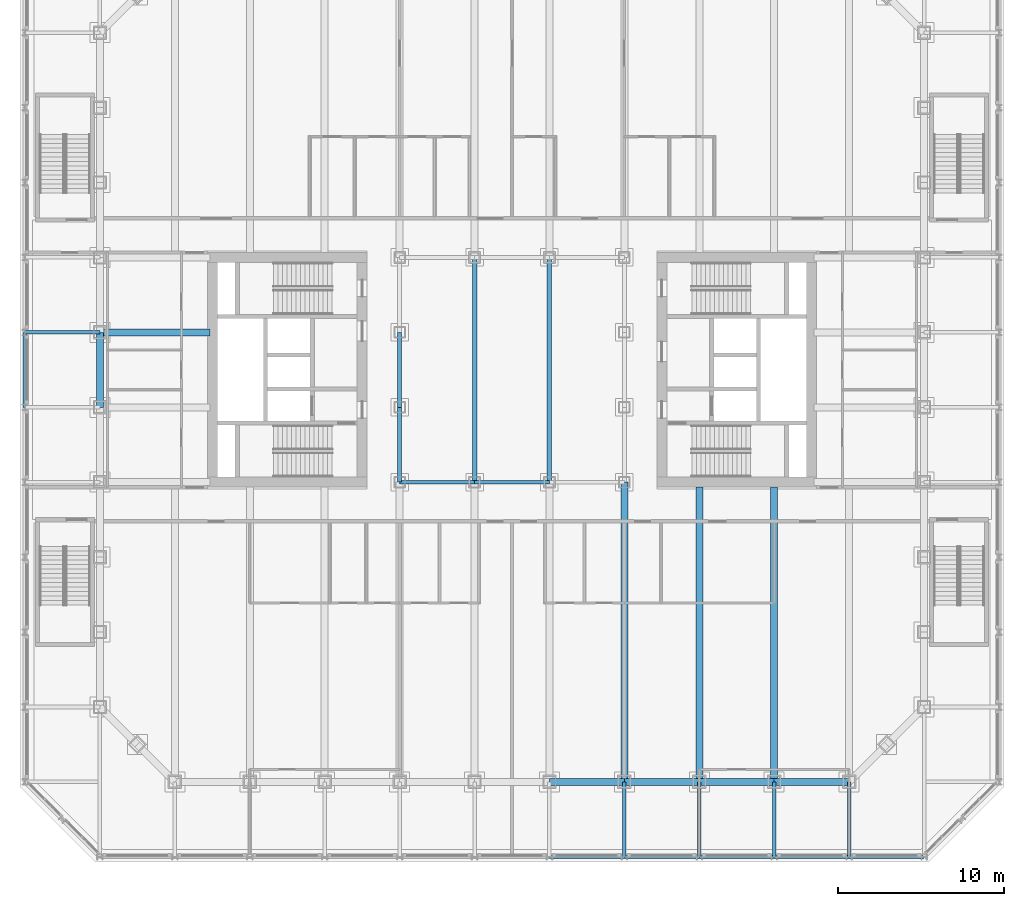
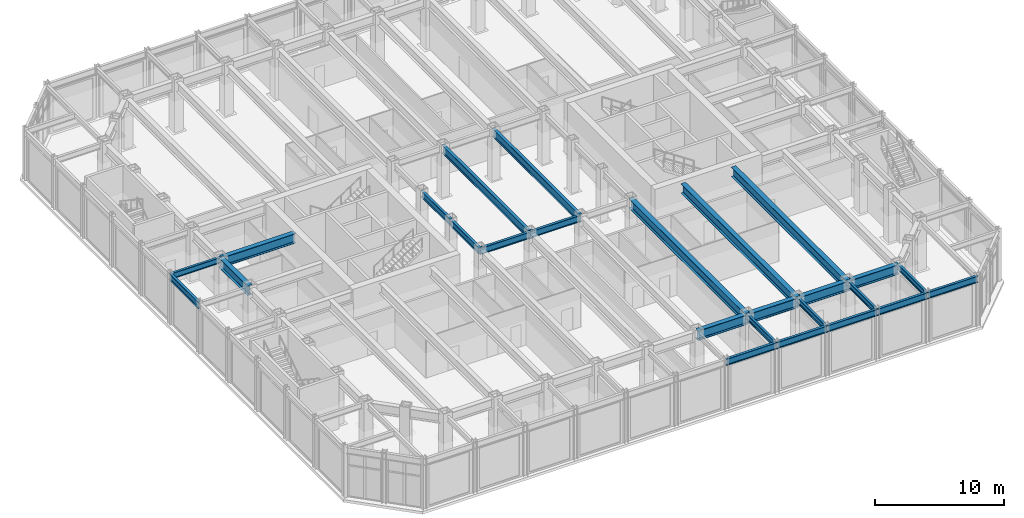
# One storey, part 5 of 19: 26 beams.
"""IFC4 building model written with IfcOpenShell, lengths in metres."""

from ifc_helpers import new_model, si_unit, direction, frame, origin, origin_2d, place, context, subcontext, project, spatial, i_section, extrude, material, material_profile, profile_set, type_object, element, save


model = new_model("IFC4")

# Units and contexts
model_context = context("Model", 3, precision=1e-05, world=origin(), true_north=direction((0.0, 1.0)))
body_context = subcontext(model_context, "Body", "Model", "MODEL_VIEW")
ifc_project = project(units=[si_unit("LENGTHUNIT", "METRE"), si_unit("AREAUNIT", "SQUARE_METRE"), si_unit("VOLUMEUNIT", "CUBIC_METRE"), si_unit("PLANEANGLEUNIT", "RADIAN"), si_unit("MASSUNIT", "GRAM", prefix="KILO")], contexts=[model_context])

# Site, building, storey
site_placement = place(None, origin())
site = spatial("IfcSite", under=ifc_project, at=site_placement, CompositionType="ELEMENT")
building_placement = place(site_placement, origin())
building = spatial("IfcBuilding", under=site, at=building_placement, Name="Msasa Ring Tower", CompositionType="ELEMENT")
storey_placement = place(building_placement, frame((0.0, 0.0, 11.0)))
storey = spatial("IfcBuildingStorey", under=building, at=storey_placement, Name="L02", CompositionType="ELEMENT", Elevation=11.0)

# Beams
ifc_material_1 = material(Name="Steel S355", Category="steel")
ifc_material_profile_1 = material_profile(ifc_material_1, i_section(OverallWidth=0.41845703125, OverallDepth=0.911865234375, WebThickness=0.019287109375, FlangeThickness=0.031982421875, FilletRadius=0.024169921875, at=origin_2d()), Name="UB 914x419x343")
ifc_profile_set_1 = profile_set([ifc_material_profile_1], Name="Steel S355")
beam_type_1 = type_object("IfcBeamType", Name="FB1 UB 914x419x343", PredefinedType="BEAM", material=ifc_profile_set_1)
beam_1_placement = place(storey_placement, frame((6.75, -24.75, 4.294189453125), z_axis=(0.0, 1.0, 0.0), x_axis=(-1.0, 0.0, 0.0)))
element("IfcBeam", 1, at=beam_1_placement, inside=storey, type_object=beam_type_1, Name="Floor beam S+6.75 under L03", PredefinedType="BEAM", context=body_context, shape_type="SweptSolid", body=[
    extrude(i_section(OverallWidth=0.41845703125, OverallDepth=0.911865234375, WebThickness=0.019287109375, FlangeThickness=0.031982421875, FilletRadius=0.024169921875, at=origin_2d()), origin(), (0.0, 0.0, 1.0), 18.0),
])
for number, where, z_axis, x_axis, name in (
    (2, (11.25, -24.75, 4.294189453125), (0.0, 1.0, 0.0), (-1.0, 0.0, 0.0), "Floor beam S+11.25 under L03"),
    (3, (15.75, -24.75, 4.294189453125), (0.0, 1.0, 0.0), (-1.0, 0.0, 0.0), "Floor beam S+15.75 under L03"),
):
    element("IfcBeam", number, at=place(storey_placement, frame(where, z_axis=z_axis, x_axis=x_axis)), inside=storey, type_object=beam_type_1, Name=name, PredefinedType="BEAM", context=body_context, shape_type="SweptSolid", body=[
        extrude(i_section(OverallWidth=0.41845703125, OverallDepth=0.911865234375, WebThickness=0.019287109375, FlangeThickness=0.031982421875, FilletRadius=0.024169921875, at=origin_2d()), origin(), (0.0, 0.0, 1.0), 17.699951171875),
    ])
ifc_material_2 = material(Name="Steel S355", Category="steel")
ifc_material_profile_2 = material_profile(ifc_material_2, i_section(OverallWidth=0.42041015625, OverallDepth=0.9208984375, WebThickness=0.021484375, FlangeThickness=0.03662109375, FilletRadius=0.024169921875, at=origin_2d()), Name="UB 914x419x388")
ifc_profile_set_2 = profile_set([ifc_material_profile_2], Name="Steel S355")
beam_type_2 = type_object("IfcBeamType", Name="FB2 UB 914x419x388", PredefinedType="BEAM", material=ifc_profile_set_2)
beam_2_placement = place(storey_placement, frame((-24.75, 2.25, 4.28955078125), z_axis=(1.0, 0.0, 0.0), x_axis=(0.0, 1.0, 0.0)))
element("IfcBeam", 4, at=beam_2_placement, inside=storey, type_object=beam_type_2, Name="Floor beam W +2.25 under L03", PredefinedType="BEAM", context=body_context, shape_type="SweptSolid", body=[
    extrude(i_section(OverallWidth=0.42041015625, OverallDepth=0.9208984375, WebThickness=0.021484375, FlangeThickness=0.03662109375, FilletRadius=0.024169921875, at=origin_2d()), origin(), (0.0, 0.0, 1.0), 6.60009765625),
])
ifc_material_3 = material(Name="Steel S355", Category="steel")
ifc_material_profile_3 = material_profile(ifc_material_3, i_section(OverallWidth=0.2119140625, OverallDepth=0.54443359375, WebThickness=0.0126953125, FlangeThickness=0.021240234375, FilletRadius=0.0126953125, at=origin_2d()), Name="UB 533x210x122")
ifc_profile_set_3 = profile_set([ifc_material_profile_3], Name="Steel S355")
beam_type_3 = type_object("IfcBeamType", Name="PB1 UB 533x210x122", PredefinedType="BEAM", material=ifc_profile_set_3)
for number, where, z_axis, x_axis, name in (
    (5, (-29.25, 2.25, 4.477783203125), (1.0, 0.0, 0.0), (0.0, 1.0, 0.0), "Podium beam W+2.25 under L03"),
    (6, (6.75, -29.25, 4.477783203125), (0.0, 1.0, 0.0), (-1.0, 0.0, 0.0), "Podium beam S+6.75 under L03"),
    (7, (11.25, -29.25, 4.477783203125), (0.0, 1.0, 0.0), (-1.0, 0.0, 0.0), "Podium beam S+11.25 under L03"),
    (8, (15.75, -29.25, 4.477783203125), (0.0, 1.0, 0.0), (-1.0, 0.0, 0.0), "Podium beam S+15.75 under L03"),
    (9, (20.25, -29.25, 4.477783203125), (0.0, 1.0, 0.0), (-1.0, 0.0, 0.0), "Podium beam S+20.25 under L03"),
):
    element("IfcBeam", number, at=place(storey_placement, frame(where, z_axis=z_axis, x_axis=x_axis)), inside=storey, type_object=beam_type_3, Name=name, PredefinedType="BEAM", context=body_context, shape_type="SweptSolid", body=[
        extrude(i_section(OverallWidth=0.2119140625, OverallDepth=0.54443359375, WebThickness=0.0126953125, FlangeThickness=0.021240234375, FilletRadius=0.0126953125, at=origin_2d()), origin(), (0.0, 0.0, 1.0), 4.5),
    ])
ifc_material_4 = material(Name="Steel S355", Category="steel")
ifc_material_profile_4 = material_profile(ifc_material_4, i_section(OverallWidth=0.230224609375, OverallDepth=0.6171875, WebThickness=0.01318359375, FlangeThickness=0.022216796875, FilletRadius=0.0126953125, at=origin_2d()), Name="UB 610x229x140")
ifc_profile_set_4 = profile_set([ifc_material_profile_4], Name="Steel S355")
beam_type_4 = type_object("IfcBeamType", Name="RB1 UB 610x229x140", PredefinedType="BEAM", material=ifc_profile_set_4)
for number, where, z_axis, x_axis, name in (
    (10, (-6.75, -2.25, 4.44140625), (0.0, -1.0, 0.0), (1.0, 0.0, 0.0), "Inner ring beam IR-6.75-2.25 under L03"),
    (11, (-6.75, -6.75, 4.44140625), (1.0, 0.0, 0.0), (0.0, 1.0, 0.0), "Inner ring beam IR-6.75-6.75 under L03"),
    (12, (-2.25, -6.75, 4.44140625), (1.0, 0.0, 0.0), (0.0, 1.0, 0.0), "Inner ring beam IR-2.25-6.75 under L03"),
    (13, (-6.75, 2.25, 4.44140625), (0.0, -1.0, 0.0), (1.0, 0.0, 0.0), "Inner ring beam IR-6.75+2.25 under L03"),
):
    element("IfcBeam", number, at=place(storey_placement, frame(where, z_axis=z_axis, x_axis=x_axis)), inside=storey, type_object=beam_type_4, Name=name, PredefinedType="BEAM", context=body_context, shape_type="SweptSolid", body=[
        extrude(i_section(OverallWidth=0.230224609375, OverallDepth=0.6171875, WebThickness=0.01318359375, FlangeThickness=0.022216796875, FilletRadius=0.0126953125, at=origin_2d()), origin(), (0.0, 0.0, 1.0), 4.5),
    ])
ifc_material_5 = material(Name="Steel S355", Category="steel")
ifc_material_profile_5 = material_profile(ifc_material_5, i_section(OverallWidth=0.42041015625, OverallDepth=0.9208984375, WebThickness=0.021484375, FlangeThickness=0.03662109375, FilletRadius=0.024169921875, at=origin_2d()), Name="UB 914x419x388")
ifc_profile_set_5 = profile_set([ifc_material_profile_5], Name="Steel S355")
beam_type_5 = type_object("IfcBeamType", Name="SB1 UB 914x419x388", PredefinedType="SPANDREL", material=ifc_profile_set_5)
for number, where, z_axis, x_axis, name in (
    (14, (2.25, -24.75, 4.28955078125), (1.0, 0.0, 0.0), (0.0, 1.0, 0.0), "Spandrel S+2.25 to S+6.75 under L03"),
    (15, (6.75, -24.75, 4.28955078125), (1.0, 0.0, 0.0), (0.0, 1.0, 0.0), "Spandrel S+6.75 to S+11.25 under L03"),
    (16, (11.25, -24.75, 4.28955078125), (1.0, 0.0, 0.0), (0.0, 1.0, 0.0), "Spandrel S+11.25 to S+15.75 under L03"),
    (17, (15.75, -24.75, 4.28955078125), (1.0, 0.0, 0.0), (0.0, 1.0, 0.0), "Spandrel S+15.75 to S+20.25 under L03"),
    (18, (-24.75, 2.25, 4.28955078125), (0.0, -1.0, 0.0), (1.0, 0.0, 0.0), "Spandrel W+2.25 to W-2.25 under L03"),
):
    element("IfcBeam", number, at=place(storey_placement, frame(where, z_axis=z_axis, x_axis=x_axis)), inside=storey, type_object=beam_type_5, Name=name, PredefinedType="SPANDREL", context=body_context, shape_type="SweptSolid", body=[
        extrude(i_section(OverallWidth=0.42041015625, OverallDepth=0.9208984375, WebThickness=0.021484375, FlangeThickness=0.03662109375, FilletRadius=0.024169921875, at=origin_2d()), origin(), (0.0, 0.0, 1.0), 4.5),
    ])
ifc_material_6 = material(Name="Steel S355", Category="steel")
ifc_material_profile_6 = material_profile(ifc_material_6, i_section(OverallWidth=0.230224609375, OverallDepth=0.6171875, WebThickness=0.01318359375, FlangeThickness=0.022216796875, FilletRadius=0.0126953125, at=origin_2d()), Name="UB 610x229x140")
ifc_profile_set_6 = profile_set([ifc_material_profile_6], Name="Steel S355")
beam_type_6 = type_object("IfcBeamType", Name="SB2 UB 610x229x140", PredefinedType="SPANDREL", material=ifc_profile_set_6)
for number, where, z_axis, x_axis, name in (
    (19, (2.25, -29.25, 4.44140625), (1.0, 0.0, 0.0), (0.0, 1.0, 0.0), "Podium spandrel S+2.25 under L03"),
    (20, (6.75, -29.25, 4.44140625), (1.0, 0.0, 0.0), (0.0, 1.0, 0.0), "Podium spandrel S+6.75 under L03"),
    (21, (11.25, -29.25, 4.44140625), (1.0, 0.0, 0.0), (0.0, 1.0, 0.0), "Podium spandrel S+11.25 under L03"),
    (22, (15.75, -29.25, 4.44140625), (1.0, 0.0, 0.0), (0.0, 1.0, 0.0), "Podium spandrel S+15.75 under L03"),
    (23, (20.25, -29.25, 4.44140625), (1.0, 0.0, 0.0), (0.0, 1.0, 0.0), "Podium spandrel S+20.25 under L03"),
    (24, (-29.25, 2.25, 4.44140625), (0.0, -1.0, 0.0), (1.0, 0.0, 0.0), "Podium spandrel W+2.25 under L03"),
):
    element("IfcBeam", number, at=place(storey_placement, frame(where, z_axis=z_axis, x_axis=x_axis)), inside=storey, type_object=beam_type_6, Name=name, PredefinedType="SPANDREL", context=body_context, shape_type="SweptSolid", body=[
        extrude(i_section(OverallWidth=0.230224609375, OverallDepth=0.6171875, WebThickness=0.01318359375, FlangeThickness=0.022216796875, FilletRadius=0.0126953125, at=origin_2d()), origin(), (0.0, 0.0, 1.0), 4.5),
    ])
ifc_material_7 = material(Name="Steel S355", Category="steel")
ifc_material_profile_7 = material_profile(ifc_material_7, i_section(OverallWidth=0.26806640625, OverallDepth=0.769775390625, WebThickness=0.015625, FlangeThickness=0.025390625, FilletRadius=0.0166015625, at=origin_2d()), Name="UB 762x267x197")
ifc_profile_set_7 = profile_set([ifc_material_profile_7], Name="Steel S355")
beam_type_7 = type_object("IfcBeamType", Name="WB1 UB 762x267x197", PredefinedType="BEAM", material=ifc_profile_set_7)
for number, where, z_axis, x_axis, name in (
    (25, (-2.25, -6.75, 4.364990234375), (0.0, 1.0, 0.0), (-1.0, 0.0, 0.0), "Well beam -2.25 under L03"),
    (26, (2.25, -6.75, 4.364990234375), (0.0, 1.0, 0.0), (-1.0, 0.0, 0.0), "Well beam +2.25 under L03"),
):
    element("IfcBeam", number, at=place(storey_placement, frame(where, z_axis=z_axis, x_axis=x_axis)), inside=storey, type_object=beam_type_7, Name=name, PredefinedType="BEAM", context=body_context, shape_type="SweptSolid", body=[
        extrude(i_section(OverallWidth=0.26806640625, OverallDepth=0.769775390625, WebThickness=0.015625, FlangeThickness=0.025390625, FilletRadius=0.0166015625, at=origin_2d()), origin(), (0.0, 0.0, 1.0), 13.5),
    ])

save(model, "model.ifc")
